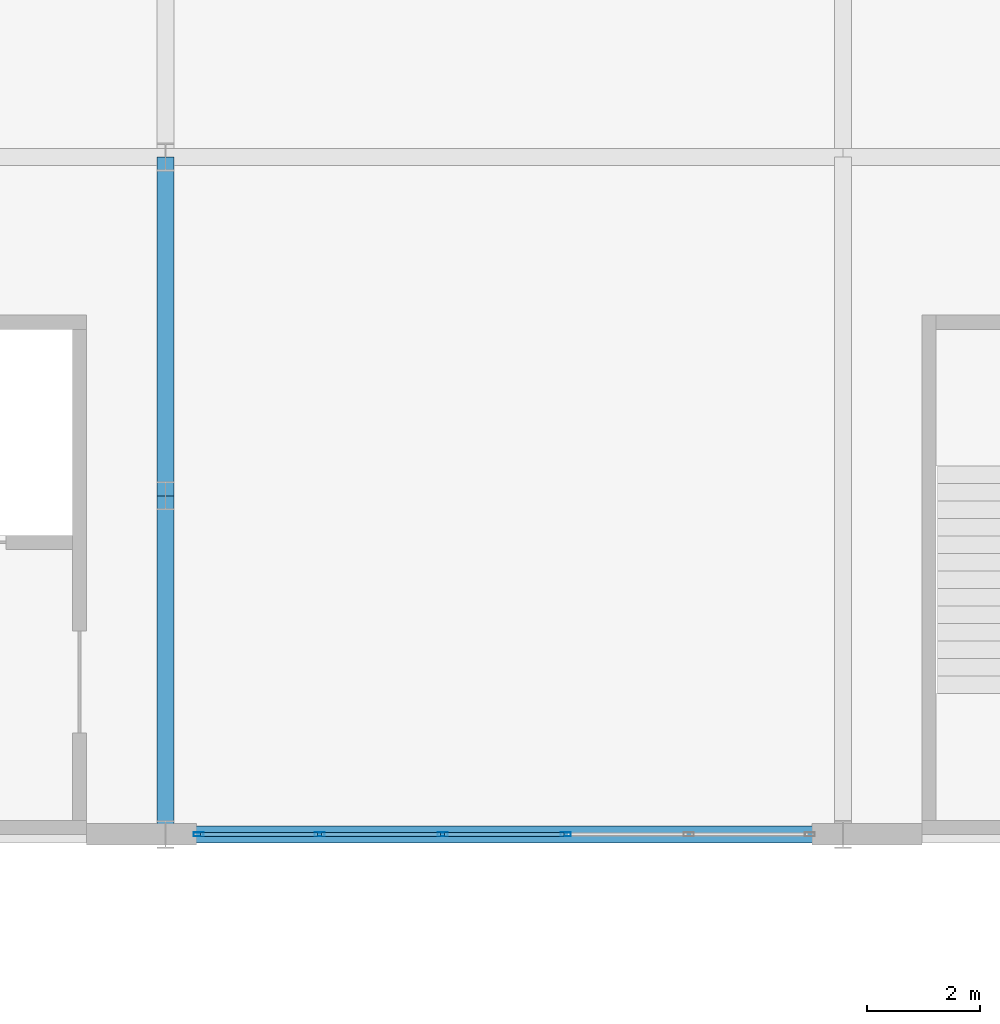
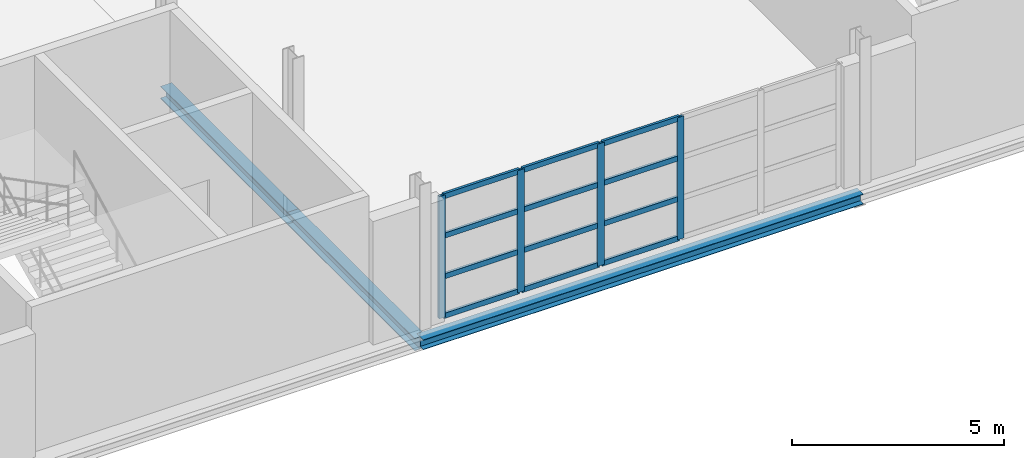
# One storey, part 32 of 158: 16 members, 3 beams, 1 element without a shape of its own.
"""IFC4 building model written with IfcOpenShell, lengths in metres."""

import ifcopenshell
import ifcopenshell.guid

model = None  # the IFC model being written
_history = None  # IfcOwnerHistory: only IFC2X3 demands one
_inside = {}  # id of a spatial element -> (the spatial element, [elements in it])
_under = {}  # id of a project, library or spatial element -> (it, [spatial elements below it])
_declared = {}  # id of a project -> (the project, [libraries it declares])
_typed = {}  # id of a type object -> (the type object, [elements of that type])
_made_of = {}  # id of a material, layer set ... -> (it, [elements and type objects made of it])


def new_model(schema):
    """Start an empty IFC model of exactly this schema.

    Asked for "IFC4X3", IfcOpenShell would pick the latest addendum, in which some entities
    have other attributes; the version numbers below select the first issue.
    IFC2X3 requires an IfcOwnerHistory on every rooted entity: one is made here for all.
    """
    global model, _history
    if schema == "IFC4X3":
        model = ifcopenshell.file(schema_version=(4, 3, 0, 0))
    else:
        model = ifcopenshell.file(schema=schema)
    _inside.clear()
    _under.clear()
    _declared.clear()
    _typed.clear()
    _made_of.clear()
    _history = None
    if model.schema == "IFC2X3":
        org = make("IfcOrganization", Name="unknown")
        user = make(
            "IfcPersonAndOrganization",
            ThePerson=make("IfcPerson", FamilyName="unknown"),
            TheOrganization=org,
        )
        app = make(
            "IfcApplication",
            ApplicationDeveloper=org,
            Version="unknown",
            ApplicationFullName="unknown",
            ApplicationIdentifier="unknown",
        )
        _history = make(
            "IfcOwnerHistory",
            OwningUser=user,
            OwningApplication=app,
            ChangeAction="ADDED",
            CreationDate=0,
        )
    return model


def make(cls, **values):
    """One entity of the class cls with the attributes given. An attribute that is None is left unset."""
    return model.create_entity(
        cls, **{name: value for name, value in values.items() if value is not None}
    )


def rooted(cls, **values):
    """An entity with a GlobalId (a new one), such as an element, a storey or a relation."""
    return make(cls, GlobalId=ifcopenshell.guid.new(), OwnerHistory=_history, **values)


def si_unit(unit_type, name, prefix=None):
    """IfcSIUnit, for example si_unit("LENGTHUNIT", "METRE", prefix="MILLI")."""
    return make("IfcSIUnit", UnitType=unit_type, Prefix=prefix, Name=name)


def assignment(units):
    """IfcUnitAssignment: the units of a project."""
    return None if units is None else make("IfcUnitAssignment", Units=units)


def point(xyz):
    """IfcCartesianPoint."""
    return None if xyz is None else make("IfcCartesianPoint", Coordinates=xyz)


def direction(xyz):
    """IfcDirection."""
    return None if xyz is None else make("IfcDirection", DirectionRatios=xyz)


def frame(location, z_axis=None, x_axis=None):
    """IfcAxis2Placement3D, a coordinate frame: its origin and axes. An axis left out is left unset."""
    return make(
        "IfcAxis2Placement3D",
        Location=point(location),
        Axis=direction(z_axis),
        RefDirection=direction(x_axis),
    )


def frame_2d(location, x_axis=None):
    """IfcAxis2Placement2D, a coordinate frame in the plane: its origin and x axis."""
    return make(
        "IfcAxis2Placement2D", Location=point(location), RefDirection=direction(x_axis)
    )


def origin():
    """The frame at (0, 0, 0) with its axes left unset."""
    return frame((0.0, 0.0, 0.0))


def origin_2d():
    """The frame at (0, 0) in the plane with its x axis left unset."""
    return frame_2d((0.0, 0.0))


def place(relative_to, where):
    """IfcLocalPlacement: puts the frame where relative to a parent placement (None: the world)."""
    return make(
        "IfcLocalPlacement", PlacementRelTo=relative_to, RelativePlacement=where
    )


def context(
    kind, dimensions, precision=None, world=None, true_north=None, identifier=None
):
    """IfcGeometricRepresentationContext, for example the 3D "Model" context."""
    return make(
        "IfcGeometricRepresentationContext",
        ContextIdentifier=identifier,
        ContextType=kind,
        CoordinateSpaceDimension=dimensions,
        Precision=precision,
        WorldCoordinateSystem=world,
        TrueNorth=true_north,
    )


def subcontext(parent, identifier, kind, view, scale=None):
    """IfcGeometricRepresentationSubContext, for example "Body" below "Model"."""
    return make(
        "IfcGeometricRepresentationSubContext",
        ContextIdentifier=identifier,
        ContextType=kind,
        ParentContext=parent,
        TargetScale=scale,
        TargetView=view,
    )


def project(units=None, contexts=None):
    """IfcProject with its units and contexts."""
    return rooted(
        "IfcProject",
        Name="project",
        RepresentationContexts=contexts,
        UnitsInContext=assignment(units),
    )


def spatial(cls, under=None, at=None, **own):
    """A site, building, storey or space (cls), placed at a placement, below another one or the project."""
    s = rooted(cls, ObjectPlacement=at, **own)
    if under is not None:
        _under.setdefault(under.id(), (under, []))[1].append(s)
    return s


def profile(cls, at=None, kind="AREA", **sizes):
    """A parametric profile (cls). Its sizes go by their IFC names, for example OverallWidth=200.0."""
    return make(cls, ProfileType=kind, Position=at, **sizes)


def hollow_rectangle(**sizes):
    """IfcRectangleHollowProfileDef."""
    return profile("IfcRectangleHollowProfileDef", **sizes)


def i_section(**sizes):
    """IfcIShapeProfileDef."""
    return profile("IfcIShapeProfileDef", **sizes)


def extrude(swept, where, along, depth):
    """IfcExtrudedAreaSolid: the profile swept, set in the frame where, extruded along a direction by depth."""
    return make(
        "IfcExtrudedAreaSolid",
        SweptArea=swept,
        Position=where,
        ExtrudedDirection=direction(along),
        Depth=depth,
    )


def shape(context_of_items, identifier, shape_type, items):
    """IfcShapeRepresentation: the items that make up one representation, for example the "Body"."""
    return make(
        "IfcShapeRepresentation",
        ContextOfItems=context_of_items,
        RepresentationIdentifier=identifier,
        RepresentationType=shape_type,
        Items=items,
    )


def material(Name=None, Category=None):
    """IfcMaterial."""
    return make("IfcMaterial", Name=Name, Category=Category)


def layer(
    of_material, thickness, ventilated=None, Name=None, Category=None, Priority=None
):
    """IfcMaterialLayer: one layer of a wall or slab, of a material (None: an air gap)."""
    return make(
        "IfcMaterialLayer",
        Material=of_material,
        LayerThickness=thickness,
        IsVentilated=ventilated,
        Name=Name,
        Category=Category,
        Priority=Priority,
    )


def layer_set(layers, Name=None):
    """IfcMaterialLayerSet."""
    return make("IfcMaterialLayerSet", MaterialLayers=layers, LayerSetName=Name)


def material_profile(
    of_material, cross_section, Name=None, Category=None, Priority=None
):
    """IfcMaterialProfile: a cross section and its material."""
    return make(
        "IfcMaterialProfile",
        Name=Name,
        Material=of_material,
        Profile=cross_section,
        Priority=Priority,
        Category=Category,
    )


def profile_set(profiles, Name=None, composite=None):
    """IfcMaterialProfileSet."""
    return make(
        "IfcMaterialProfileSet",
        Name=Name,
        MaterialProfiles=profiles,
        CompositeProfile=composite,
    )


def made_of(thing, what):
    """Note that an element or type object is made of a material, layer set ...; save() writes the relation."""
    if what is not None:
        _made_of.setdefault(what.id(), (what, []))[1].append(thing)
    return thing


def type_object(cls, material=None, **own):
    """A type object (cls), such as IfcWallType, which elements share."""
    return made_of(rooted(cls, **own), material)


def element(
    cls,
    number,
    at=None,
    inside=None,
    cuts=None,
    type_object=None,
    material=None,
    context=None,
    identifier="Body",
    shape_type=None,
    held_by="IfcProductDefinitionShape",
    body=None,
    shapes=None,
    **own,
):
    """One element of the class cls, such as IfcWall. Its Tag is "e" and its number.

    at: its placement. inside: the storey or other place that contains it. cuts: it is an
    opening in that element (IfcRelVoidsElement). A single representation is given by context,
    identifier, shape_type and body (its items); several are given by shapes. held_by: the class
    of the entity that holds the representations. save() writes the other relations.
    """
    e = rooted(cls, Tag="e%d" % number, ObjectPlacement=at, **own)
    if body is not None:
        shapes = [shape(context, identifier, shape_type, body)]
    if shapes is not None:
        e.Representation = make(held_by, Representations=shapes)
    if inside is not None:
        _inside.setdefault(inside.id(), (inside, []))[1].append(e)
    if cuts is not None:
        rooted(
            "IfcRelVoidsElement", RelatingBuildingElement=cuts, RelatedOpeningElement=e
        )
    if type_object is not None:
        _typed.setdefault(type_object.id(), (type_object, []))[1].append(e)
    return made_of(e, material)


def aggregate(whole, parts):
    """IfcRelAggregates: a whole, such as a stair, and the parts it consists of."""
    return rooted("IfcRelAggregates", RelatingObject=whole, RelatedObjects=parts)


def save(model, path):
    """Write the relations noted so far, then the file.

    IfcRelAggregates (storeys below a building ...), IfcRelContainedInSpatialStructure (elements
    in a storey), IfcRelDefinesByType, IfcRelAssociatesMaterial and IfcRelDeclares: one each for
    every whole, place, type object, material and project.
    """
    for whole, parts in _under.values():
        aggregate(whole, parts)
    for where, things in _inside.values():
        rooted(
            "IfcRelContainedInSpatialStructure",
            RelatedElements=things,
            RelatingStructure=where,
        )
    for kind, things in _typed.values():
        rooted("IfcRelDefinesByType", RelatedObjects=things, RelatingType=kind)
    for what, things in _made_of.values():
        rooted("IfcRelAssociatesMaterial", RelatedObjects=things, RelatingMaterial=what)
    for by, libraries in _declared.values():
        rooted("IfcRelDeclares", RelatingContext=by, RelatedDefinitions=libraries)
    model.write(path)


model = new_model("IFC4")

# Units and contexts
model_context = context("Model", 3, precision=1e-05, world=origin(), true_north=direction((0.0, 1.0)))
body_context = subcontext(model_context, "Body", "Model", "MODEL_VIEW")
ifc_project = project(units=[si_unit("LENGTHUNIT", "METRE"), si_unit("AREAUNIT", "SQUARE_METRE"), si_unit("VOLUMEUNIT", "CUBIC_METRE"), si_unit("PLANEANGLEUNIT", "RADIAN"), si_unit("MASSUNIT", "GRAM", prefix="KILO")], contexts=[model_context])

# Site, building, storey
site_placement = place(None, origin())
site = spatial("IfcSite", under=ifc_project, at=site_placement, CompositionType="ELEMENT")
building_placement = place(site_placement, origin())
building = spatial("IfcBuilding", under=site, at=building_placement, Name="Zilviju Railside Exhibition Hall", CompositionType="ELEMENT")
storey_placement = place(building_placement, frame((0.0, 0.0, 4.199951171875)))
storey = spatial("IfcBuildingStorey", under=building, at=storey_placement, Name="L02", CompositionType="ELEMENT", Elevation=4.199951171875)

# Beams
ifc_material_1 = material(Name="Steel S355J2", Category="steel")
ifc_material_profile_1 = material_profile(ifc_material_1, i_section(OverallWidth=0.300048828125, OverallDepth=0.2900390625, WebThickness=0.008544921875, FlangeThickness=0.013916015625, at=origin_2d()), Name="HEA 300")
ifc_profile_set_1 = profile_set([ifc_material_profile_1], Name="Steel S355J2")
beam_type_1 = type_object("IfcBeamType", Name="BM-HEA300", PredefinedType="SPANDREL", material=ifc_profile_set_1)
beam_placement = place(storey_placement, frame((24.0, 36.0, -0.5048828125), z_axis=(1.0, 0.0, 0.0), x_axis=(0.0, 1.0, 0.0)))
element("IfcBeam", 1, at=beam_placement, inside=storey, type_object=beam_type_1, Name="Primary Girder L02 Y=36.0 (24.0..36.0)", PredefinedType="SPANDREL", context=body_context, shape_type="SweptSolid", body=[
    extrude(i_section(OverallWidth=0.300048828125, OverallDepth=0.2900390625, WebThickness=0.008544921875, FlangeThickness=0.013916015625, at=origin_2d()), origin(), (0.0, 0.0, 1.0), 12.0),
])
ifc_material_profile_2 = material_profile(ifc_material_1, i_section(OverallWidth=0.300048828125, OverallDepth=0.360107421875, WebThickness=0.012451171875, FlangeThickness=0.0224609375, at=origin_2d()), Name="HEB 360")
ifc_profile_set_2 = profile_set([ifc_material_profile_2], Name="Steel S355J2")
beam_type_2 = type_object("IfcBeamType", Name="BM-HEB360", PredefinedType="BEAM", material=ifc_profile_set_2)
for number, where, z_axis, x_axis, name in (
    (2, (24.0, 36.0, -0.5400390625), (0.0, 1.0, 0.0), (-1.0, 0.0, 0.0), "Transverse Girder L02 X=24.0 (36.0..42.0)"),
    (3, (24.0, 42.0, -0.5400390625), (0.0, 1.0, 0.0), (-1.0, 0.0, 0.0), "Transverse Girder L02 X=24.0 (42.0..48.0)"),
):
    element("IfcBeam", number, at=place(storey_placement, frame(where, z_axis=z_axis, x_axis=x_axis)), inside=storey, type_object=beam_type_2, Name=name, PredefinedType="BEAM", context=body_context, shape_type="SweptSolid", body=[
        extrude(i_section(OverallWidth=0.300048828125, OverallDepth=0.360107421875, WebThickness=0.012451171875, FlangeThickness=0.0224609375, at=origin_2d()), origin(), (0.0, 0.0, 1.0), 6.0),
    ])

# Curtain wall, members
ifc_material_2 = material(Name="Thermally broken aluminium-steel triple-glazed curtain wall", Category="steel")
ifc_layer = layer(ifc_material_2, 0.179931640625)
ifc_layer_set = layer_set([ifc_layer], Name="Thermally broken aluminium-steel triple-glazed curtain wall")
curtain_wall_type = type_object("IfcCurtainWallType", Name="CW-BAY-17", PredefinedType="USERDEFINED", material=ifc_layer_set)
curtain_wall_placement = place(storey_placement, origin())
curtain_wall = element("IfcCurtainWall", 4, at=curtain_wall_placement, inside=storey, type_object=curtain_wall_type, Name="Congress Forecourt Curtain Wall L02 (24..36)", ObjectType="GLAZED CURTAIN WALL", PredefinedType="USERDEFINED")
ifc_material_3 = material(Name="Thermally broken anodized aluminium mullion", Category="aluminium")
ifc_material_profile_3 = material_profile(ifc_material_3, hollow_rectangle(XDim=0.070068359375, YDim=0.179931640625, WallThickness=0.0048828125, at=origin_2d()), Name="MULLION 180x70x5")
ifc_profile_set_3 = profile_set([ifc_material_profile_3], Name="Thermally broken anodized aluminium mullion")
member_type_1 = type_object("IfcMemberType", Name="CWM-70x180", PredefinedType="MULLION", material=ifc_profile_set_3)
member_1_placement = place(storey_placement, frame((31.090087890625, 36.0, 0.0), z_axis=(0.0, 0.0, 1.0), x_axis=(0.0, -1.0, 0.0)))
member_1 = element("IfcMember", 5, at=member_1_placement, type_object=member_type_1, Name="CW-17 mullion 3", PredefinedType="MULLION", context=body_context, shape_type="SweptSolid", body=[
    extrude(hollow_rectangle(XDim=0.070068359375, YDim=0.179931640625, WallThickness=0.0048828125, at=origin_2d()), origin(), (0.0, 0.0, 1.0), 3.52001953125),
])
member_2_placement = place(storey_placement, frame((28.909912109375, 36.0, 0.0), z_axis=(0.0, 0.0, 1.0), x_axis=(0.0, -1.0, 0.0)))
member_2 = element("IfcMember", 6, at=member_2_placement, type_object=member_type_1, Name="CW-17 mullion 4", PredefinedType="MULLION", context=body_context, shape_type="SweptSolid", body=[
    extrude(hollow_rectangle(XDim=0.070068359375, YDim=0.179931640625, WallThickness=0.0048828125, at=origin_2d()), origin(), (0.0, 0.0, 1.0), 3.52001953125),
])
member_3_placement = place(storey_placement, frame((26.72998046875, 36.0, 0.0), z_axis=(0.0, 0.0, 1.0), x_axis=(0.0, -1.0, 0.0)))
member_3 = element("IfcMember", 7, at=member_3_placement, type_object=member_type_1, Name="CW-17 mullion 5", PredefinedType="MULLION", context=body_context, shape_type="SweptSolid", body=[
    extrude(hollow_rectangle(XDim=0.070068359375, YDim=0.179931640625, WallThickness=0.0048828125, at=origin_2d()), origin(), (0.0, 0.0, 1.0), 3.52001953125),
])
member_4_placement = place(storey_placement, frame((24.5849609375, 36.0, 0.0), z_axis=(0.0, 0.0, 1.0), x_axis=(0.0, -1.0, 0.0)))
member_4 = element("IfcMember", 8, at=member_4_placement, type_object=member_type_1, Name="CW-17 mullion 6", PredefinedType="MULLION", context=body_context, shape_type="SweptSolid", body=[
    extrude(hollow_rectangle(XDim=0.070068359375, YDim=0.179931640625, WallThickness=0.0048828125, at=origin_2d()), origin(), (0.0, 0.0, 1.0), 3.52001953125),
])
ifc_material_4 = material(Name="Thermally broken anodized aluminium transom", Category="aluminium")
ifc_material_profile_4 = material_profile(ifc_material_4, hollow_rectangle(XDim=0.070068359375, YDim=0.14990234375, WallThickness=0.0048828125, at=origin_2d()), Name="TRANSOM 150x70x5")
ifc_profile_set_4 = profile_set([ifc_material_profile_4], Name="Thermally broken anodized aluminium transom")
member_type_2 = type_object("IfcMemberType", Name="CWT-70x150", PredefinedType="USERDEFINED", material=ifc_profile_set_4)
member_5_placement = place(storey_placement, frame((31.054931640625, 36.0, 0.03515625), z_axis=(-1.0, 0.0, 0.0), x_axis=(0.0, -1.0, 0.0)))
member_5 = element("IfcMember", 9, at=member_5_placement, type_object=member_type_2, Name="CW-17 transom 3.1", ObjectType="TRANSOM", PredefinedType="USERDEFINED", context=body_context, shape_type="SweptSolid", body=[
    extrude(hollow_rectangle(XDim=0.070068359375, YDim=0.14990234375, WallThickness=0.0048828125, at=origin_2d()), origin(), (0.0, 0.0, 1.0), 2.10986328125),
])
member_6_placement = place(storey_placement, frame((31.054931640625, 36.0, 1.173095703125), z_axis=(-1.0, 0.0, 0.0), x_axis=(0.0, -1.0, 0.0)))
member_6 = element("IfcMember", 10, at=member_6_placement, type_object=member_type_2, Name="CW-17 transom 3.2", ObjectType="TRANSOM", PredefinedType="USERDEFINED", context=body_context, shape_type="SweptSolid", body=[
    extrude(hollow_rectangle(XDim=0.070068359375, YDim=0.14990234375, WallThickness=0.0048828125, at=origin_2d()), origin(), (0.0, 0.0, 1.0), 2.10986328125),
])
member_7_placement = place(storey_placement, frame((31.054931640625, 36.0, 2.34716796875), z_axis=(-1.0, 0.0, 0.0), x_axis=(0.0, -1.0, 0.0)))
member_7 = element("IfcMember", 11, at=member_7_placement, type_object=member_type_2, Name="CW-17 transom 3.3", ObjectType="TRANSOM", PredefinedType="USERDEFINED", context=body_context, shape_type="SweptSolid", body=[
    extrude(hollow_rectangle(XDim=0.070068359375, YDim=0.14990234375, WallThickness=0.0048828125, at=origin_2d()), origin(), (0.0, 0.0, 1.0), 2.10986328125),
])
member_8_placement = place(storey_placement, frame((31.054931640625, 36.0, 3.485107421875), z_axis=(-1.0, 0.0, 0.0), x_axis=(0.0, -1.0, 0.0)))
member_8 = element("IfcMember", 12, at=member_8_placement, type_object=member_type_2, Name="CW-17 transom 3.4", ObjectType="TRANSOM", PredefinedType="USERDEFINED", context=body_context, shape_type="SweptSolid", body=[
    extrude(hollow_rectangle(XDim=0.070068359375, YDim=0.14990234375, WallThickness=0.0048828125, at=origin_2d()), origin(), (0.0, 0.0, 1.0), 2.10986328125),
])
member_9_placement = place(storey_placement, frame((28.875, 36.0, 0.03515625), z_axis=(-1.0, 0.0, 0.0), x_axis=(0.0, -1.0, 0.0)))
member_9 = element("IfcMember", 13, at=member_9_placement, type_object=member_type_2, Name="CW-17 transom 4.1", ObjectType="TRANSOM", PredefinedType="USERDEFINED", context=body_context, shape_type="SweptSolid", body=[
    extrude(hollow_rectangle(XDim=0.070068359375, YDim=0.14990234375, WallThickness=0.0048828125, at=origin_2d()), origin(), (0.0, 0.0, 1.0), 2.110107421875),
])
member_10_placement = place(storey_placement, frame((28.875, 36.0, 1.173095703125), z_axis=(-1.0, 0.0, 0.0), x_axis=(0.0, -1.0, 0.0)))
member_10 = element("IfcMember", 14, at=member_10_placement, type_object=member_type_2, Name="CW-17 transom 4.2", ObjectType="TRANSOM", PredefinedType="USERDEFINED", context=body_context, shape_type="SweptSolid", body=[
    extrude(hollow_rectangle(XDim=0.070068359375, YDim=0.14990234375, WallThickness=0.0048828125, at=origin_2d()), origin(), (0.0, 0.0, 1.0), 2.110107421875),
])
member_11_placement = place(storey_placement, frame((28.875, 36.0, 2.34716796875), z_axis=(-1.0, 0.0, 0.0), x_axis=(0.0, -1.0, 0.0)))
member_11 = element("IfcMember", 15, at=member_11_placement, type_object=member_type_2, Name="CW-17 transom 4.3", ObjectType="TRANSOM", PredefinedType="USERDEFINED", context=body_context, shape_type="SweptSolid", body=[
    extrude(hollow_rectangle(XDim=0.070068359375, YDim=0.14990234375, WallThickness=0.0048828125, at=origin_2d()), origin(), (0.0, 0.0, 1.0), 2.110107421875),
])
member_12_placement = place(storey_placement, frame((28.875, 36.0, 3.485107421875), z_axis=(-1.0, 0.0, 0.0), x_axis=(0.0, -1.0, 0.0)))
member_12 = element("IfcMember", 16, at=member_12_placement, type_object=member_type_2, Name="CW-17 transom 4.4", ObjectType="TRANSOM", PredefinedType="USERDEFINED", context=body_context, shape_type="SweptSolid", body=[
    extrude(hollow_rectangle(XDim=0.070068359375, YDim=0.14990234375, WallThickness=0.0048828125, at=origin_2d()), origin(), (0.0, 0.0, 1.0), 2.110107421875),
])
member_13_placement = place(storey_placement, frame((26.695068359375, 36.0, 0.03515625), z_axis=(-1.0, 0.0, 0.0), x_axis=(0.0, -1.0, 0.0)))
member_13 = element("IfcMember", 17, at=member_13_placement, type_object=member_type_2, Name="CW-17 transom 5.1", ObjectType="TRANSOM", PredefinedType="USERDEFINED", context=body_context, shape_type="SweptSolid", body=[
    extrude(hollow_rectangle(XDim=0.070068359375, YDim=0.14990234375, WallThickness=0.0048828125, at=origin_2d()), origin(), (0.0, 0.0, 1.0), 2.074951171875),
])
member_14_placement = place(storey_placement, frame((26.695068359375, 36.0, 1.173095703125), z_axis=(-1.0, 0.0, 0.0), x_axis=(0.0, -1.0, 0.0)))
member_14 = element("IfcMember", 18, at=member_14_placement, type_object=member_type_2, Name="CW-17 transom 5.2", ObjectType="TRANSOM", PredefinedType="USERDEFINED", context=body_context, shape_type="SweptSolid", body=[
    extrude(hollow_rectangle(XDim=0.070068359375, YDim=0.14990234375, WallThickness=0.0048828125, at=origin_2d()), origin(), (0.0, 0.0, 1.0), 2.074951171875),
])
member_15_placement = place(storey_placement, frame((26.695068359375, 36.0, 2.34716796875), z_axis=(-1.0, 0.0, 0.0), x_axis=(0.0, -1.0, 0.0)))
member_15 = element("IfcMember", 19, at=member_15_placement, type_object=member_type_2, Name="CW-17 transom 5.3", ObjectType="TRANSOM", PredefinedType="USERDEFINED", context=body_context, shape_type="SweptSolid", body=[
    extrude(hollow_rectangle(XDim=0.070068359375, YDim=0.14990234375, WallThickness=0.0048828125, at=origin_2d()), origin(), (0.0, 0.0, 1.0), 2.074951171875),
])
member_16_placement = place(storey_placement, frame((26.695068359375, 36.0, 3.485107421875), z_axis=(-1.0, 0.0, 0.0), x_axis=(0.0, -1.0, 0.0)))
member_16 = element("IfcMember", 20, at=member_16_placement, type_object=member_type_2, Name="CW-17 transom 5.4", ObjectType="TRANSOM", PredefinedType="USERDEFINED", context=body_context, shape_type="SweptSolid", body=[
    extrude(hollow_rectangle(XDim=0.070068359375, YDim=0.14990234375, WallThickness=0.0048828125, at=origin_2d()), origin(), (0.0, 0.0, 1.0), 2.074951171875),
])
aggregate(curtain_wall, [member_1, member_2, member_3, member_4, member_5, member_6, member_7, member_8, member_9, member_10, member_11, member_12, member_13, member_14, member_15, member_16])

save(model, "model.ifc")
